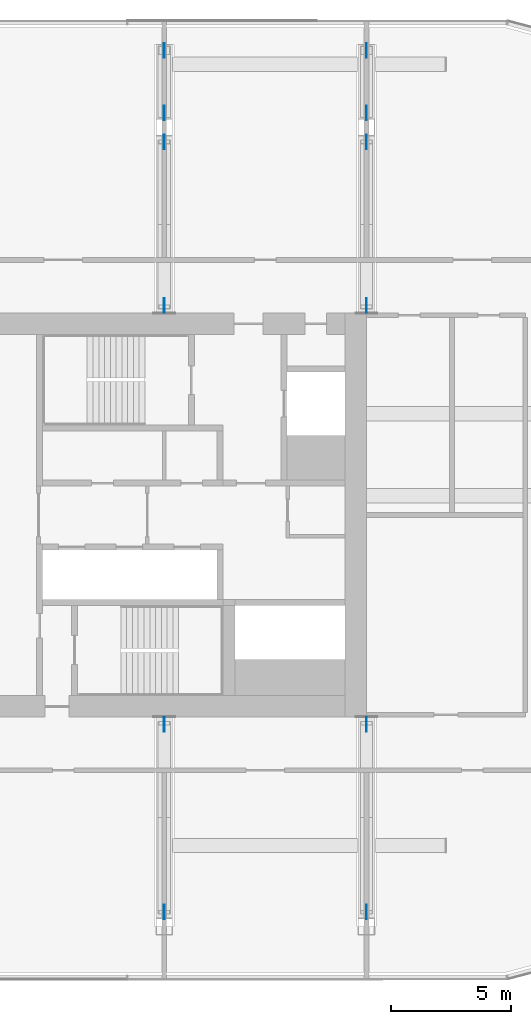
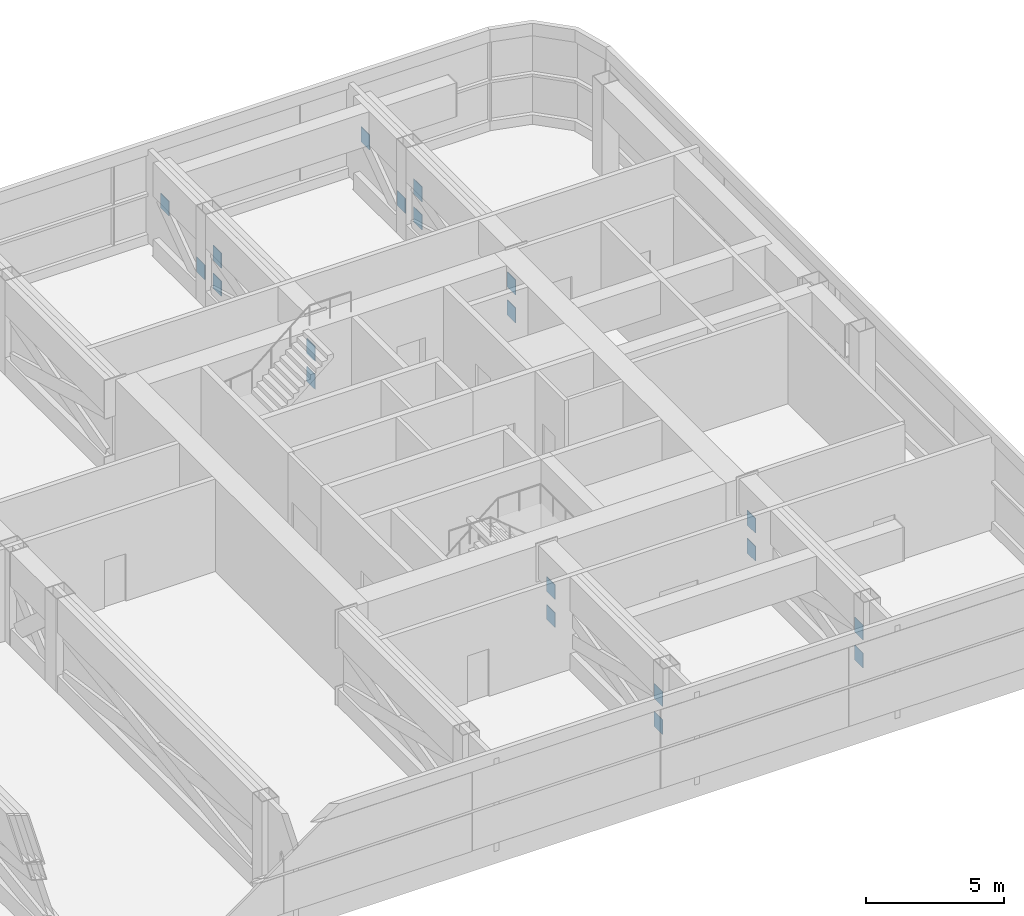
# One storey, part 27 of 33: 20 discrete accessories.
"""IFC4 building model written with IfcOpenShell, lengths in metres."""

from ifc_helpers import new_model, si_unit, direction, frame, origin, origin_2d, place, context, subcontext, project, spatial, rectangle, extrude, material, material_profile, profile_set, type_object, element, save


model = new_model("IFC4")

# Units and contexts
model_context = context("Model", 3, precision=1e-05, world=origin(), true_north=direction((0.0, 1.0)))
body_context = subcontext(model_context, "Body", "Model", "MODEL_VIEW")
ifc_project = project(units=[si_unit("LENGTHUNIT", "METRE"), si_unit("AREAUNIT", "SQUARE_METRE"), si_unit("VOLUMEUNIT", "CUBIC_METRE"), si_unit("PLANEANGLEUNIT", "RADIAN"), si_unit("MASSUNIT", "GRAM", prefix="KILO")], contexts=[model_context])

# Site, building, storey
site_placement = place(None, origin())
site = spatial("IfcSite", under=ifc_project, at=site_placement, CompositionType="ELEMENT")
building_placement = place(site_placement, origin())
building = spatial("IfcBuilding", under=site, at=building_placement, Name="Hakoniwa Tower and Hamabe Station Hall", CompositionType="ELEMENT")
storey_placement = place(building_placement, frame((0.0, 0.0, 175.800048828125)))
storey = spatial("IfcBuildingStorey", under=building, at=storey_placement, Name="L50", CompositionType="ELEMENT", Elevation=175.800048828125)

# Discrete accessories
ifc_material = material(Name="Steel SN490C", Category="steel")
ifc_material_profile = material_profile(ifc_material, rectangle(XDim=0.60009765625, YDim=0.659912109375, at=origin_2d()), Name="GUSSET PLATE BX-600x500x28")
ifc_profile_set = profile_set([ifc_material_profile], Name="Steel SN490C")
discrete_accessory_type = type_object("IfcDiscreteAccessoryType", Name="GUSSET PLATE BX-600x500x28", PredefinedType="USERDEFINED", material=ifc_profile_set)
for number, where, z_axis, x_axis, name in (
    (1, (25.21240234375, -16.5, 1.030029296875), (-1.0, 0.0, 0.0), (0.0, -1.0, 0.0), "Gusset plate T3-016-D01A"),
    (2, (25.21240234375, -8.699951171875, 2.27001953125), (-1.0, 0.0, 0.0), (0.0, -1.0, 0.0), "Gusset plate T3-016-D01A"),
    (3, (25.21240234375, -16.5, 2.27001953125), (-1.0, 0.0, 0.0), (0.0, -1.0, 0.0), "Gusset plate T3-016-D01B"),
    (4, (25.21240234375, -8.699951171875, 1.030029296875), (-1.0, 0.0, 0.0), (0.0, -1.0, 0.0), "Gusset plate T3-016-D01B"),
    (5, (25.21240234375, 8.699951171875, 1.030029296875), (-1.0, 0.0, 0.0), (0.0, -1.0, 0.0), "Gusset plate T3-017-D01A"),
    (6, (25.21240234375, 15.5, 2.27001953125), (-1.0, 0.0, 0.0), (0.0, -1.0, 0.0), "Gusset plate T3-017-D01A"),
    (7, (25.21240234375, 8.699951171875, 2.27001953125), (-1.0, 0.0, 0.0), (0.0, -1.0, 0.0), "Gusset plate T3-017-D01B"),
    (8, (25.21240234375, 15.5, 1.030029296875), (-1.0, 0.0, 0.0), (0.0, -1.0, 0.0), "Gusset plate T3-017-D01B"),
    (9, (25.21240234375, 16.699951171875, 1.030029296875), (-1.0, 0.0, 0.0), (0.0, -1.0, 0.0), "Gusset plate T3-017-DHA"),
    (10, (25.21240234375, 19.300048828125, 2.27001953125), (-1.0, 0.0, 0.0), (0.0, -1.0, 0.0), "Gusset plate T3-017-DHA"),
):
    element("IfcDiscreteAccessory", number, at=place(storey_placement, frame(where, z_axis=z_axis, x_axis=x_axis)), inside=storey, type_object=discrete_accessory_type, Name=name, ObjectType="GUSSET PLATE", PredefinedType="USERDEFINED", context=body_context, shape_type="SweptSolid", body=[
        extrude(rectangle(XDim=0.60009765625, YDim=0.659912109375, at=origin_2d()), origin(), (0.0, 0.0, 1.0), 0.02490234375),
    ])
for number, where, z_axis, x_axis, name in (
    (11, (33.612548828125, -16.5, 1.030029296875), (-1.0, 0.0, 0.0), (0.0, -1.0, 0.0), "Gusset plate T3-018-D01A"),
    (12, (33.612548828125, -8.699951171875, 2.27001953125), (-1.0, 0.0, 0.0), (0.0, -1.0, 0.0), "Gusset plate T3-018-D01A"),
    (13, (33.612548828125, -16.5, 2.27001953125), (-1.0, 0.0, 0.0), (0.0, -1.0, 0.0), "Gusset plate T3-018-D01B"),
    (14, (33.612548828125, -8.699951171875, 1.030029296875), (-1.0, 0.0, 0.0), (0.0, -1.0, 0.0), "Gusset plate T3-018-D01B"),
    (15, (33.612548828125, 8.699951171875, 1.030029296875), (-1.0, 0.0, 0.0), (0.0, -1.0, 0.0), "Gusset plate T3-019-D01A"),
    (16, (33.612548828125, 15.5, 2.27001953125), (-1.0, 0.0, 0.0), (0.0, -1.0, 0.0), "Gusset plate T3-019-D01A"),
    (17, (33.612548828125, 8.699951171875, 2.27001953125), (-1.0, 0.0, 0.0), (0.0, -1.0, 0.0), "Gusset plate T3-019-D01B"),
    (18, (33.612548828125, 15.5, 1.030029296875), (-1.0, 0.0, 0.0), (0.0, -1.0, 0.0), "Gusset plate T3-019-D01B"),
    (19, (33.612548828125, 16.699951171875, 1.030029296875), (-1.0, 0.0, 0.0), (0.0, -1.0, 0.0), "Gusset plate T3-019-DHA"),
    (20, (33.612548828125, 19.300048828125, 2.27001953125), (-1.0, 0.0, 0.0), (0.0, -1.0, 0.0), "Gusset plate T3-019-DHA"),
):
    element("IfcDiscreteAccessory", number, at=place(storey_placement, frame(where, z_axis=z_axis, x_axis=x_axis)), inside=storey, type_object=discrete_accessory_type, Name=name, ObjectType="GUSSET PLATE", PredefinedType="USERDEFINED", context=body_context, shape_type="SweptSolid", body=[
        extrude(rectangle(XDim=0.60009765625, YDim=0.659912109375, at=origin_2d()), origin(), (0.0, 0.0, 1.0), 0.025146484375),
    ])

save(model, "model.ifc")
